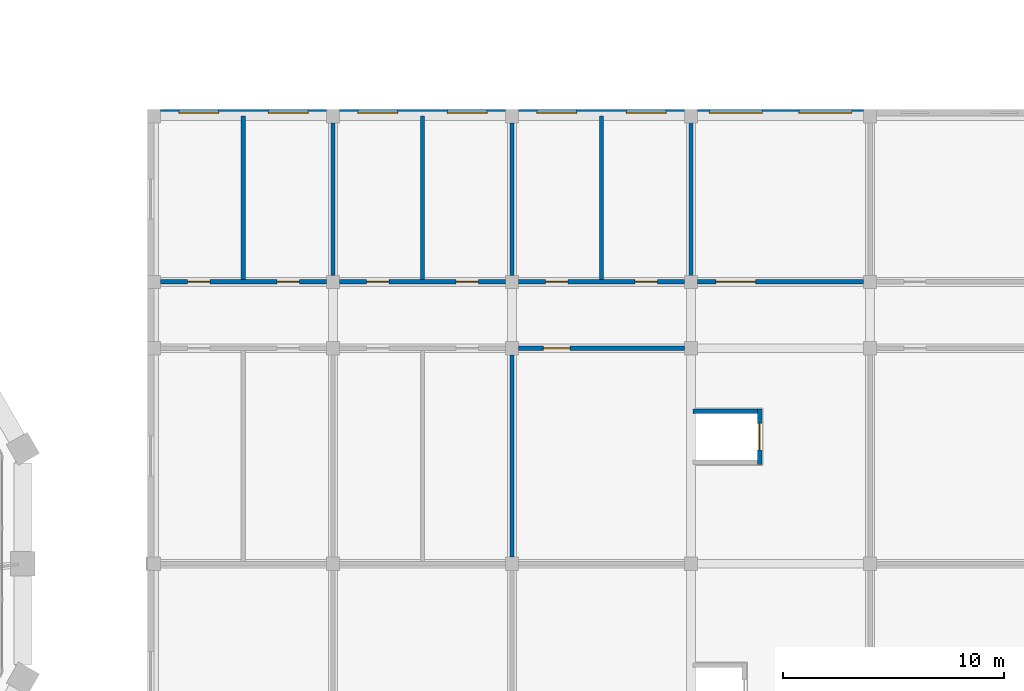
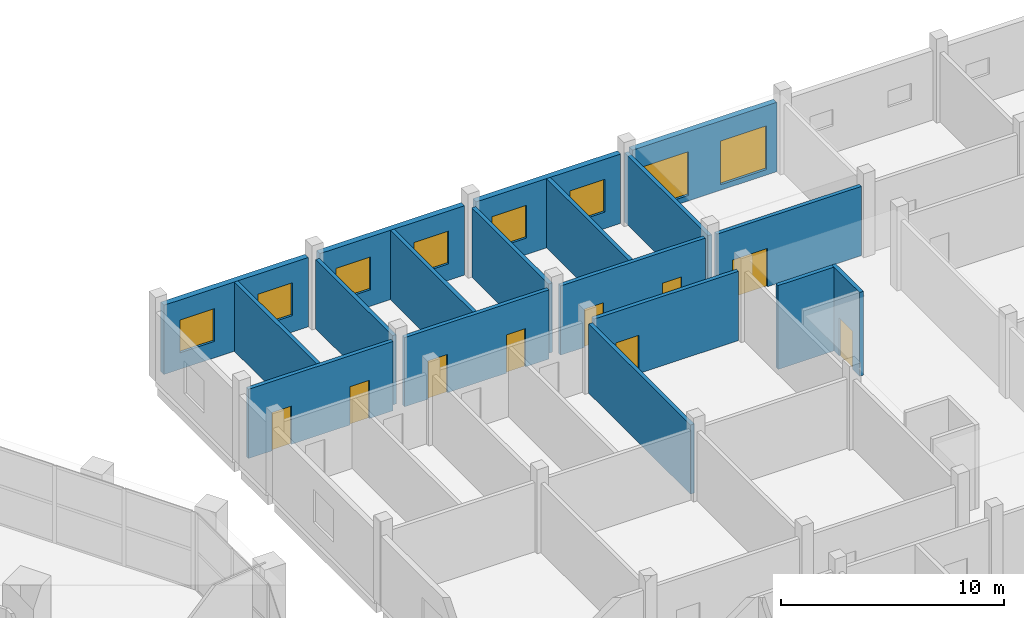
# One storey, part 25 of 38: 18 walls, 9 doors, 8 windows, 17 openings.
"""IFC4 building model written with IfcOpenShell, lengths in metres."""

from ifc_helpers import new_model, si_unit, direction, frame, frame_2d, origin, place, context, subcontext, project, spatial, rectangle, extrude, material, layer, layer_set, type_object, element, fill, save


model = new_model("IFC4")

# Units and contexts
model_context = context("Model", 3, precision=1e-05, world=origin(), true_north=direction((0.0, 1.0)))
body_context = subcontext(model_context, "Body", "Model", "MODEL_VIEW")
ifc_project = project(units=[si_unit("LENGTHUNIT", "METRE"), si_unit("AREAUNIT", "SQUARE_METRE"), si_unit("VOLUMEUNIT", "CUBIC_METRE"), si_unit("PLANEANGLEUNIT", "RADIAN"), si_unit("MASSUNIT", "GRAM", prefix="KILO")], contexts=[model_context])

# Site, building, storey
site_placement = place(None, origin())
site = spatial("IfcSite", under=ifc_project, at=site_placement, CompositionType="ELEMENT")
building_placement = place(site_placement, origin())
building = spatial("IfcBuilding", under=site, at=building_placement, Name="Frailejon Research Tower", CompositionType="ELEMENT")
storey_placement = place(building_placement, frame((0.0, 0.0, 5.60009765625)))
storey = spatial("IfcBuildingStorey", under=building, at=storey_placement, Name="L01", CompositionType="ELEMENT", Elevation=5.60009765625)

# Wall, openings, windows
ifc_material_1 = material(Name="Insulated masonry cavity wall", Category="masonry")
ifc_layer_1 = layer(ifc_material_1, 0.300048828125)
ifc_layer_set_1 = layer_set([ifc_layer_1], Name="HC facade wall 300")
wall_type_1 = type_object("IfcWallType", Name="HC facade wall 300", PredefinedType="SOLIDWALL", material=ifc_layer_set_1)
wall_1_placement = place(storey_placement, frame((44.800048828125, 20.39990234375, 0.0), z_axis=(0.0, 0.0, 1.0), x_axis=(1.0, 0.0, 0.0)))
wall_1 = element("IfcWall", 1, at=wall_1_placement, inside=storey, type_object=wall_type_1, Name="HC facade wall", PredefinedType="SOLIDWALL", context=body_context, shape_type="SweptSolid", body=[
    extrude(rectangle(XDim=7.5, YDim=0.300048828125, at=frame_2d((3.75, 0.0))), origin(), (0.0, 0.0, 1.0), 3.7998046875),
])
opening_1_placement = place(wall_1_placement, frame((0.824951171875, 0.0, 0.89990234375)))
opening_1 = element("IfcOpeningElement", 2, at=opening_1_placement, cuts=wall_1, Name="Opening HW119", PredefinedType="OPENING", context=body_context, shape_type="SweptSolid", body=[
    extrude(rectangle(XDim=1.800048828125, YDim=1.800048828125, at=frame_2d((0.89990234375, 0.89990234375))), frame((0.0, 0.159912109375, 0.0), z_axis=(0.0, -1.0, 0.0), x_axis=(1.0, 0.0, 0.0)), (0.0, 0.0, 1.0), 0.320068359375),
])
opening_2_placement = place(wall_1_placement, frame((4.875, 0.0, 0.89990234375)))
opening_2 = element("IfcOpeningElement", 3, at=opening_2_placement, cuts=wall_1, Name="Opening HW121", PredefinedType="OPENING", context=body_context, shape_type="SweptSolid", body=[
    extrude(rectangle(XDim=1.800048828125, YDim=1.800048828125, at=frame_2d((0.89990234375, 0.89990234375))), frame((0.0, 0.159912109375, 0.0), z_axis=(0.0, -1.0, 0.0), x_axis=(1.0, 0.0, 0.0)), (0.0, 0.0, 1.0), 0.320068359375),
])
ifc_material_2 = material(Name="Aluminium framed double glazing", Category="aluminium")
window_type_1 = type_object("IfcWindowType", Name="HC window 1800x1800", PartitioningType="SINGLE_PANEL", PredefinedType="WINDOW", material=ifc_material_2)
window_1_placement = place(opening_1_placement, origin())
window_1 = element("IfcWindow", 4, at=window_1_placement, inside=storey, type_object=window_type_1, Name="Window HW119 (HCW1)", OverallHeight=1.800048828125, OverallWidth=1.800048828125, PartitioningType="SINGLE_PANEL", PredefinedType="WINDOW", context=body_context, shape_type="SweptSolid", body=[
    extrude(rectangle(XDim=1.800048828125, YDim=1.800048828125, at=frame_2d((0.89990234375, 0.89990234375))), frame((0.0, 0.030029296875, 0.0), z_axis=(0.0, -1.0, 0.0), x_axis=(1.0, 0.0, 0.0)), (0.0, 0.0, 1.0), 0.06005859375),
])
fill(opening_1, window_1)
window_2_placement = place(opening_2_placement, origin())
window_2 = element("IfcWindow", 5, at=window_2_placement, inside=storey, type_object=window_type_1, Name="Window HW121 (HCW1)", OverallHeight=1.800048828125, OverallWidth=1.800048828125, PartitioningType="SINGLE_PANEL", PredefinedType="WINDOW", context=body_context, shape_type="SweptSolid", body=[
    extrude(rectangle(XDim=1.800048828125, YDim=1.800048828125, at=frame_2d((0.89990234375, 0.89990234375))), frame((0.0, 0.030029296875, 0.0), z_axis=(0.0, -1.0, 0.0), x_axis=(1.0, 0.0, 0.0)), (0.0, 0.0, 1.0), 0.06005859375),
])
fill(opening_2, window_2)

wall_2_placement = place(storey_placement, frame((52.89990234375, 20.39990234375, 0.0), z_axis=(0.0, 0.0, 1.0), x_axis=(1.0, 0.0, 0.0)))
wall_2 = element("IfcWall", 6, at=wall_2_placement, inside=storey, type_object=wall_type_1, Name="HC facade wall", PredefinedType="SOLIDWALL", context=body_context, shape_type="SweptSolid", body=[
    extrude(rectangle(XDim=7.5, YDim=0.300048828125, at=frame_2d((3.75, 0.0))), origin(), (0.0, 0.0, 1.0), 3.7998046875),
])
opening_3_placement = place(wall_2_placement, frame((0.824951171875, 0.0, 0.89990234375)))
opening_3 = element("IfcOpeningElement", 7, at=opening_3_placement, cuts=wall_2, Name="Opening HW122", PredefinedType="OPENING", context=body_context, shape_type="SweptSolid", body=[
    extrude(rectangle(XDim=1.800048828125, YDim=1.800048828125, at=frame_2d((0.89990234375, 0.89990234375))), frame((0.0, 0.159912109375, 0.0), z_axis=(0.0, -1.0, 0.0), x_axis=(1.0, 0.0, 0.0)), (0.0, 0.0, 1.0), 0.320068359375),
])
opening_4_placement = place(wall_2_placement, frame((4.875, 0.0, 0.89990234375)))
opening_4 = element("IfcOpeningElement", 8, at=opening_4_placement, cuts=wall_2, Name="Opening HW123", PredefinedType="OPENING", context=body_context, shape_type="SweptSolid", body=[
    extrude(rectangle(XDim=1.800048828125, YDim=1.800048828125, at=frame_2d((0.89990234375, 0.89990234375))), frame((0.0, 0.159912109375, 0.0), z_axis=(0.0, -1.0, 0.0), x_axis=(1.0, 0.0, 0.0)), (0.0, 0.0, 1.0), 0.320068359375),
])
window_3_placement = place(opening_3_placement, origin())
window_3 = element("IfcWindow", 9, at=window_3_placement, inside=storey, type_object=window_type_1, Name="Window HW122 (HCW1)", OverallHeight=1.800048828125, OverallWidth=1.800048828125, PartitioningType="SINGLE_PANEL", PredefinedType="WINDOW", context=body_context, shape_type="SweptSolid", body=[
    extrude(rectangle(XDim=1.800048828125, YDim=1.800048828125, at=frame_2d((0.89990234375, 0.89990234375))), frame((0.0, 0.030029296875, 0.0), z_axis=(0.0, -1.0, 0.0), x_axis=(1.0, 0.0, 0.0)), (0.0, 0.0, 1.0), 0.06005859375),
])
fill(opening_3, window_3)
window_4_placement = place(opening_4_placement, origin())
window_4 = element("IfcWindow", 10, at=window_4_placement, inside=storey, type_object=window_type_1, Name="Window HW123 (HCW1)", OverallHeight=1.800048828125, OverallWidth=1.800048828125, PartitioningType="SINGLE_PANEL", PredefinedType="WINDOW", context=body_context, shape_type="SweptSolid", body=[
    extrude(rectangle(XDim=1.800048828125, YDim=1.800048828125, at=frame_2d((0.89990234375, 0.89990234375))), frame((0.0, 0.030029296875, 0.0), z_axis=(0.0, -1.0, 0.0), x_axis=(1.0, 0.0, 0.0)), (0.0, 0.0, 1.0), 0.06005859375),
])
fill(opening_4, window_4)

wall_3_placement = place(storey_placement, frame((61.0, 20.39990234375, 0.0), z_axis=(0.0, 0.0, 1.0), x_axis=(1.0, 0.0, 0.0)))
wall_3 = element("IfcWall", 11, at=wall_3_placement, inside=storey, type_object=wall_type_1, Name="HC facade wall", PredefinedType="SOLIDWALL", context=body_context, shape_type="SweptSolid", body=[
    extrude(rectangle(XDim=7.5, YDim=0.300048828125, at=frame_2d((3.75, 0.0))), origin(), (0.0, 0.0, 1.0), 3.7998046875),
])
opening_5_placement = place(wall_3_placement, frame((0.824951171875, 0.0, 0.89990234375)))
opening_5 = element("IfcOpeningElement", 12, at=opening_5_placement, cuts=wall_3, Name="Opening HW124", PredefinedType="OPENING", context=body_context, shape_type="SweptSolid", body=[
    extrude(rectangle(XDim=1.800048828125, YDim=1.800048828125, at=frame_2d((0.89990234375, 0.89990234375))), frame((0.0, 0.159912109375, 0.0), z_axis=(0.0, -1.0, 0.0), x_axis=(1.0, 0.0, 0.0)), (0.0, 0.0, 1.0), 0.320068359375),
])
opening_6_placement = place(wall_3_placement, frame((4.875, 0.0, 0.89990234375)))
opening_6 = element("IfcOpeningElement", 13, at=opening_6_placement, cuts=wall_3, Name="Opening HW125", PredefinedType="OPENING", context=body_context, shape_type="SweptSolid", body=[
    extrude(rectangle(XDim=1.800048828125, YDim=1.800048828125, at=frame_2d((0.89990234375, 0.89990234375))), frame((0.0, 0.159912109375, 0.0), z_axis=(0.0, -1.0, 0.0), x_axis=(1.0, 0.0, 0.0)), (0.0, 0.0, 1.0), 0.320068359375),
])
window_5_placement = place(opening_5_placement, origin())
window_5 = element("IfcWindow", 14, at=window_5_placement, inside=storey, type_object=window_type_1, Name="Window HW124 (HCW1)", OverallHeight=1.800048828125, OverallWidth=1.800048828125, PartitioningType="SINGLE_PANEL", PredefinedType="WINDOW", context=body_context, shape_type="SweptSolid", body=[
    extrude(rectangle(XDim=1.800048828125, YDim=1.800048828125, at=frame_2d((0.89990234375, 0.89990234375))), frame((0.0, 0.030029296875, 0.0), z_axis=(0.0, -1.0, 0.0), x_axis=(1.0, 0.0, 0.0)), (0.0, 0.0, 1.0), 0.06005859375),
])
fill(opening_5, window_5)
window_6_placement = place(opening_6_placement, origin())
window_6 = element("IfcWindow", 15, at=window_6_placement, inside=storey, type_object=window_type_1, Name="Window HW125 (HCW1)", OverallHeight=1.800048828125, OverallWidth=1.800048828125, PartitioningType="SINGLE_PANEL", PredefinedType="WINDOW", context=body_context, shape_type="SweptSolid", body=[
    extrude(rectangle(XDim=1.800048828125, YDim=1.800048828125, at=frame_2d((0.89990234375, 0.89990234375))), frame((0.0, 0.030029296875, 0.0), z_axis=(0.0, -1.0, 0.0), x_axis=(1.0, 0.0, 0.0)), (0.0, 0.0, 1.0), 0.06005859375),
])
fill(opening_6, window_6)

wall_4_placement = place(storey_placement, frame((69.10009765625, 20.39990234375, 0.0), z_axis=(0.0, 0.0, 1.0), x_axis=(1.0, 0.0, 0.0)))
wall_4 = element("IfcWall", 16, at=wall_4_placement, inside=storey, type_object=wall_type_1, Name="HC facade wall", PredefinedType="SOLIDWALL", context=body_context, shape_type="SweptSolid", body=[
    extrude(rectangle(XDim=7.5, YDim=0.300048828125, at=frame_2d((3.75, 0.0))), origin(), (0.0, 0.0, 1.0), 3.7998046875),
])
opening_7_placement = place(wall_4_placement, frame((0.52490234375, 0.0, 0.300048828125)))
opening_7 = element("IfcOpeningElement", 17, at=opening_7_placement, cuts=wall_4, Name="Opening HW126", PredefinedType="OPENING", context=body_context, shape_type="SweptSolid", body=[
    extrude(rectangle(XDim=2.39990234375, YDim=2.39990234375, at=frame_2d((1.199951171875, 1.199951171875))), frame((0.0, 0.159912109375, 0.0), z_axis=(0.0, -1.0, 0.0), x_axis=(1.0, 0.0, 0.0)), (0.0, 0.0, 1.0), 0.320068359375),
])
opening_8_placement = place(wall_4_placement, frame((4.574951171875, 0.0, 0.300048828125)))
opening_8 = element("IfcOpeningElement", 18, at=opening_8_placement, cuts=wall_4, Name="Opening HW127", PredefinedType="OPENING", context=body_context, shape_type="SweptSolid", body=[
    extrude(rectangle(XDim=2.39990234375, YDim=2.39990234375, at=frame_2d((1.199951171875, 1.199951171875))), frame((0.0, 0.159912109375, 0.0), z_axis=(0.0, -1.0, 0.0), x_axis=(1.0, 0.0, 0.0)), (0.0, 0.0, 1.0), 0.320068359375),
])
ifc_material_3 = material(Name="Aluminium framed double glazing", Category="aluminium")
window_type_2 = type_object("IfcWindowType", Name="HC window 2400x2400", PartitioningType="DOUBLE_PANEL_VERTICAL", PredefinedType="WINDOW", material=ifc_material_3)
window_7_placement = place(opening_7_placement, origin())
window_7 = element("IfcWindow", 19, at=window_7_placement, inside=storey, type_object=window_type_2, Name="Window HW126 (HCW3)", OverallHeight=2.39990234375, OverallWidth=2.39990234375, PartitioningType="DOUBLE_PANEL_VERTICAL", PredefinedType="WINDOW", context=body_context, shape_type="SweptSolid", body=[
    extrude(rectangle(XDim=2.39990234375, YDim=2.39990234375, at=frame_2d((1.199951171875, 1.199951171875))), frame((0.0, 0.030029296875, 0.0), z_axis=(0.0, -1.0, 0.0), x_axis=(1.0, 0.0, 0.0)), (0.0, 0.0, 1.0), 0.06005859375),
])
fill(opening_7, window_7)
window_8_placement = place(opening_8_placement, origin())
window_8 = element("IfcWindow", 20, at=window_8_placement, inside=storey, type_object=window_type_2, Name="Window HW127 (HCW3)", OverallHeight=2.39990234375, OverallWidth=2.39990234375, PartitioningType="DOUBLE_PANEL_VERTICAL", PredefinedType="WINDOW", context=body_context, shape_type="SweptSolid", body=[
    extrude(rectangle(XDim=2.39990234375, YDim=2.39990234375, at=frame_2d((1.199951171875, 1.199951171875))), frame((0.0, 0.030029296875, 0.0), z_axis=(0.0, -1.0, 0.0), x_axis=(1.0, 0.0, 0.0)), (0.0, 0.0, 1.0), 0.06005859375),
])
fill(opening_8, window_8)

# Wall
ifc_material_4 = material(Name="Concrete C35/45", Category="concrete")
ifc_layer_2 = layer(ifc_material_4, 0.199951171875)
ifc_layer_set_2 = layer_set([ifc_layer_2], Name="HC fire wall 200")
wall_type_2 = type_object("IfcWallType", Name="HC fire wall 200", PredefinedType="SOLIDWALL", material=ifc_layer_set_2)
wall_5_placement = place(storey_placement, frame((68.89990234375, 6.89990234375, 0.0), z_axis=(0.0, 0.0, 1.0), x_axis=(1.0, 0.0, 0.0)))
element("IfcWall", 21, at=wall_5_placement, inside=storey, type_object=wall_type_2, Name="HC lift shaft wall", PredefinedType="SOLIDWALL", context=body_context, shape_type="SweptSolid", body=[
    extrude(rectangle(XDim=2.900146484375, YDim=0.199951171875, at=frame_2d((1.4501953125, 0.0))), origin(), (0.0, 0.0, 1.0), 4.599853515625),
])

# Wall, opening, door
wall_6_placement = place(storey_placement, frame((71.89990234375, 4.5, 0.0), z_axis=(0.0, 0.0, 1.0), x_axis=(0.0, 1.0, 0.0)))
wall_6 = element("IfcWall", 22, at=wall_6_placement, inside=storey, type_object=wall_type_2, Name="HC lift shaft wall", PredefinedType="SOLIDWALL", context=body_context, shape_type="SweptSolid", body=[
    extrude(rectangle(XDim=2.5, YDim=0.199951171875, at=frame_2d((1.25, 0.0))), origin(), (0.0, 0.0, 1.0), 4.599853515625),
])
opening_9_placement = place(wall_6_placement, frame((0.64990234375, 0.0, 0.0)))
opening_9 = element("IfcOpeningElement", 23, at=opening_9_placement, cuts=wall_6, Name="Opening HLD1B", PredefinedType="OPENING", context=body_context, shape_type="SweptSolid", body=[
    extrude(rectangle(XDim=1.199951171875, YDim=2.10009765625, at=frame_2d((0.60009765625, 1.050048828125))), frame((0.0, 0.10986328125, 0.0), z_axis=(0.0, -1.0, 0.0), x_axis=(1.0, 0.0, 0.0)), (0.0, 0.0, 1.0), 0.219970703125),
])
ifc_material_5 = material(Name="Stainless steel sliding leaf", Category="steel")
door_type_1 = type_object("IfcDoorType", Name="HC lift landing door 1200", OperationType="SLIDING_TO_LEFT", PredefinedType="DOOR", material=ifc_material_5)
door_1_placement = place(opening_9_placement, origin())
door_1 = element("IfcDoor", 24, at=door_1_placement, inside=storey, type_object=door_type_1, Name="Lift landing door HLD1B", OperationType="SLIDING_TO_LEFT", OverallHeight=2.10009765625, OverallWidth=1.199951171875, PredefinedType="DOOR", context=body_context, shape_type="SweptSolid", body=[
    extrude(rectangle(XDim=1.199951171875, YDim=2.10009765625, at=frame_2d((0.60009765625, 1.050048828125))), frame((0.0, 0.02490234375, 0.0), z_axis=(0.0, -1.0, 0.0), x_axis=(1.0, 0.0, 0.0)), (0.0, 0.0, 1.0), 0.050048828125),
])
fill(opening_9, door_1)

# Walls
ifc_material_6 = material(Name="Masonry blockwork partition", Category="masonry")
ifc_layer_3 = layer(ifc_material_6, 0.199951171875)
ifc_layer_set_3 = layer_set([ifc_layer_3], Name="HC partition 200")
wall_type_3 = type_object("IfcWallType", Name="HC partition 200", PredefinedType="PARTITIONING", material=ifc_layer_set_3)
wall_7_placement = place(storey_placement, frame((48.550048828125, 12.85009765625, 0.0), z_axis=(0.0, 0.0, 1.0), x_axis=(0.0, 1.0, 0.0)))
element("IfcWall", 25, at=wall_7_placement, inside=storey, type_object=wall_type_3, Name="HC partition", PredefinedType="PARTITIONING", context=body_context, shape_type="SweptSolid", body=[
    extrude(rectangle(XDim=7.39990234375, YDim=0.199951171875, at=frame_2d((3.699951171875, 0.0))), origin(), (0.0, 0.0, 1.0), 3.7998046875),
])
wall_8_placement = place(storey_placement, frame((52.60009765625, 13.050048828125, 0.0), z_axis=(0.0, 0.0, 1.0), x_axis=(0.0, 1.0, 0.0)))
element("IfcWall", 26, at=wall_8_placement, inside=storey, type_object=wall_type_3, Name="HC partition", PredefinedType="PARTITIONING", context=body_context, shape_type="SweptSolid", body=[
    extrude(rectangle(XDim=6.89990234375, YDim=0.199951171875, at=frame_2d((3.449951171875, 0.0))), origin(), (0.0, 0.0, 1.0), 3.7998046875),
])
wall_9_placement = place(storey_placement, frame((56.64990234375, 12.85009765625, 0.0), z_axis=(0.0, 0.0, 1.0), x_axis=(0.0, 1.0, 0.0)))
element("IfcWall", 27, at=wall_9_placement, inside=storey, type_object=wall_type_3, Name="HC partition", PredefinedType="PARTITIONING", context=body_context, shape_type="SweptSolid", body=[
    extrude(rectangle(XDim=7.39990234375, YDim=0.199951171875, at=frame_2d((3.699951171875, 0.0))), origin(), (0.0, 0.0, 1.0), 3.7998046875),
])
wall_10_placement = place(storey_placement, frame((60.699951171875, 0.300048828125, 0.0), z_axis=(0.0, 0.0, 1.0), x_axis=(0.0, 1.0, 0.0)))
element("IfcWall", 28, at=wall_10_placement, inside=storey, type_object=wall_type_3, Name="HC partition", PredefinedType="PARTITIONING", context=body_context, shape_type="SweptSolid", body=[
    extrude(rectangle(XDim=9.14990234375, YDim=0.199951171875, at=frame_2d((4.574951171875, 0.0))), origin(), (0.0, 0.0, 1.0), 3.7998046875),
])
wall_11_placement = place(storey_placement, frame((60.699951171875, 13.050048828125, 0.0), z_axis=(0.0, 0.0, 1.0), x_axis=(0.0, 1.0, 0.0)))
element("IfcWall", 29, at=wall_11_placement, inside=storey, type_object=wall_type_3, Name="HC partition", PredefinedType="PARTITIONING", context=body_context, shape_type="SweptSolid", body=[
    extrude(rectangle(XDim=6.89990234375, YDim=0.199951171875, at=frame_2d((3.449951171875, 0.0))), origin(), (0.0, 0.0, 1.0), 3.7998046875),
])
wall_12_placement = place(storey_placement, frame((64.75, 12.85009765625, 0.0), z_axis=(0.0, 0.0, 1.0), x_axis=(0.0, 1.0, 0.0)))
element("IfcWall", 30, at=wall_12_placement, inside=storey, type_object=wall_type_3, Name="HC partition", PredefinedType="PARTITIONING", context=body_context, shape_type="SweptSolid", body=[
    extrude(rectangle(XDim=7.39990234375, YDim=0.199951171875, at=frame_2d((3.699951171875, 0.0))), origin(), (0.0, 0.0, 1.0), 3.7998046875),
])
wall_13_placement = place(storey_placement, frame((68.800048828125, 12.75, 0.0), z_axis=(0.0, 0.0, 1.0), x_axis=(0.0, 1.0, 0.0)))
element("IfcWall", 31, at=wall_13_placement, inside=storey, type_object=wall_type_3, Name="HC partition", PredefinedType="PARTITIONING", context=body_context, shape_type="SweptSolid", body=[
    extrude(rectangle(XDim=7.5, YDim=0.199951171875, at=frame_2d((3.75, 0.0))), origin(), (0.0, 0.0, 1.0), 3.7998046875),
])

# Wall, opening, door
wall_14_placement = place(storey_placement, frame((61.0, 9.75, 0.0), z_axis=(0.0, 0.0, 1.0), x_axis=(1.0, 0.0, 0.0)))
wall_14 = element("IfcWall", 32, at=wall_14_placement, inside=storey, type_object=wall_type_3, Name="HC partition", PredefinedType="PARTITIONING", context=body_context, shape_type="SweptSolid", body=[
    extrude(rectangle(XDim=7.5, YDim=0.199951171875, at=frame_2d((3.75, 0.0))), origin(), (0.0, 0.0, 1.0), 3.7998046875),
])
opening_10_placement = place(wall_14_placement, frame((1.125, 0.0, 0.0)))
opening_10 = element("IfcOpeningElement", 33, at=opening_10_placement, cuts=wall_14, Name="Opening HD126", PredefinedType="OPENING", context=body_context, shape_type="SweptSolid", body=[
    extrude(rectangle(XDim=1.199951171875, YDim=2.10009765625, at=frame_2d((0.60009765625, 1.050048828125))), frame((0.0, 0.10986328125, 0.0), z_axis=(0.0, -1.0, 0.0), x_axis=(1.0, 0.0, 0.0)), (0.0, 0.0, 1.0), 0.219970703125),
])
ifc_material_7 = material(Name="Timber veneered fire door leaf", Category="wood")
door_type_2 = type_object("IfcDoorType", Name="HC door 1200 left", OperationType="SINGLE_SWING_LEFT", PredefinedType="DOOR", material=ifc_material_7)
door_2_placement = place(opening_10_placement, origin())
door_2 = element("IfcDoor", 34, at=door_2_placement, inside=storey, type_object=door_type_2, Name="Door HD126", OperationType="SINGLE_SWING_LEFT", OverallHeight=2.10009765625, OverallWidth=1.199951171875, PredefinedType="DOOR", context=body_context, shape_type="SweptSolid", body=[
    extrude(rectangle(XDim=1.199951171875, YDim=2.10009765625, at=frame_2d((0.60009765625, 1.050048828125))), frame((0.0, 0.02490234375, 0.0), z_axis=(0.0, -1.0, 0.0), x_axis=(1.0, 0.0, 0.0)), (0.0, 0.0, 1.0), 0.050048828125),
])
fill(opening_10, door_2)

# Wall, openings, doors
wall_15_placement = place(storey_placement, frame((44.800048828125, 12.75, 0.0), z_axis=(0.0, 0.0, 1.0), x_axis=(1.0, 0.0, 0.0)))
wall_15 = element("IfcWall", 35, at=wall_15_placement, inside=storey, type_object=wall_type_3, Name="HC partition", PredefinedType="PARTITIONING", context=body_context, shape_type="SweptSolid", body=[
    extrude(rectangle(XDim=7.5, YDim=0.199951171875, at=frame_2d((3.75, 0.0))), origin(), (0.0, 0.0, 1.0), 3.7998046875),
])
opening_11_placement = place(wall_15_placement, frame((1.22509765625, 0.0, 0.0)))
opening_11 = element("IfcOpeningElement", 36, at=opening_11_placement, cuts=wall_15, Name="Opening HD130", PredefinedType="OPENING", context=body_context, shape_type="SweptSolid", body=[
    extrude(rectangle(XDim=1.0, YDim=2.10009765625, at=frame_2d((0.5, 1.050048828125))), frame((0.0, 0.10986328125, 0.0), z_axis=(0.0, -1.0, 0.0), x_axis=(1.0, 0.0, 0.0)), (0.0, 0.0, 1.0), 0.219970703125),
])
opening_12_placement = place(wall_15_placement, frame((5.27490234375, 0.0, 0.0)))
opening_12 = element("IfcOpeningElement", 37, at=opening_12_placement, cuts=wall_15, Name="Opening HD131", PredefinedType="OPENING", context=body_context, shape_type="SweptSolid", body=[
    extrude(rectangle(XDim=1.0, YDim=2.10009765625, at=frame_2d((0.5, 1.050048828125))), frame((0.0, 0.10986328125, 0.0), z_axis=(0.0, -1.0, 0.0), x_axis=(1.0, 0.0, 0.0)), (0.0, 0.0, 1.0), 0.219970703125),
])
ifc_material_8 = material(Name="Timber veneered fire door leaf", Category="wood")
door_type_3 = type_object("IfcDoorType", Name="HC door 1000 left", OperationType="SINGLE_SWING_LEFT", PredefinedType="DOOR", material=ifc_material_8)
door_3_placement = place(opening_11_placement, origin())
door_3 = element("IfcDoor", 38, at=door_3_placement, inside=storey, type_object=door_type_3, Name="Door HD130", OperationType="SINGLE_SWING_LEFT", OverallHeight=2.10009765625, OverallWidth=1.0, PredefinedType="DOOR", context=body_context, shape_type="SweptSolid", body=[
    extrude(rectangle(XDim=1.0, YDim=2.10009765625, at=frame_2d((0.5, 1.050048828125))), frame((0.0, 0.02490234375, 0.0), z_axis=(0.0, -1.0, 0.0), x_axis=(1.0, 0.0, 0.0)), (0.0, 0.0, 1.0), 0.050048828125),
])
fill(opening_11, door_3)
ifc_material_9 = material(Name="Timber veneered fire door leaf", Category="wood")
door_type_4 = type_object("IfcDoorType", Name="HC door 1000 right", OperationType="SINGLE_SWING_RIGHT", PredefinedType="DOOR", material=ifc_material_9)
door_4_placement = place(opening_12_placement, origin())
door_4 = element("IfcDoor", 39, at=door_4_placement, inside=storey, type_object=door_type_4, Name="Door HD131", OperationType="SINGLE_SWING_RIGHT", OverallHeight=2.10009765625, OverallWidth=1.0, PredefinedType="DOOR", context=body_context, shape_type="SweptSolid", body=[
    extrude(rectangle(XDim=1.0, YDim=2.10009765625, at=frame_2d((0.5, 1.050048828125))), frame((0.0, 0.02490234375, 0.0), z_axis=(0.0, -1.0, 0.0), x_axis=(1.0, 0.0, 0.0)), (0.0, 0.0, 1.0), 0.050048828125),
])
fill(opening_12, door_4)

wall_16_placement = place(storey_placement, frame((52.89990234375, 12.75, 0.0), z_axis=(0.0, 0.0, 1.0), x_axis=(1.0, 0.0, 0.0)))
wall_16 = element("IfcWall", 40, at=wall_16_placement, inside=storey, type_object=wall_type_3, Name="HC partition", PredefinedType="PARTITIONING", context=body_context, shape_type="SweptSolid", body=[
    extrude(rectangle(XDim=7.5, YDim=0.199951171875, at=frame_2d((3.75, 0.0))), origin(), (0.0, 0.0, 1.0), 3.7998046875),
])
opening_13_placement = place(wall_16_placement, frame((1.22509765625, 0.0, 0.0)))
opening_13 = element("IfcOpeningElement", 41, at=opening_13_placement, cuts=wall_16, Name="Opening HD132", PredefinedType="OPENING", context=body_context, shape_type="SweptSolid", body=[
    extrude(rectangle(XDim=1.0, YDim=2.10009765625, at=frame_2d((0.5, 1.050048828125))), frame((0.0, 0.10986328125, 0.0), z_axis=(0.0, -1.0, 0.0), x_axis=(1.0, 0.0, 0.0)), (0.0, 0.0, 1.0), 0.219970703125),
])
opening_14_placement = place(wall_16_placement, frame((5.27490234375, 0.0, 0.0)))
opening_14 = element("IfcOpeningElement", 42, at=opening_14_placement, cuts=wall_16, Name="Opening HD133", PredefinedType="OPENING", context=body_context, shape_type="SweptSolid", body=[
    extrude(rectangle(XDim=1.0, YDim=2.10009765625, at=frame_2d((0.5, 1.050048828125))), frame((0.0, 0.10986328125, 0.0), z_axis=(0.0, -1.0, 0.0), x_axis=(1.0, 0.0, 0.0)), (0.0, 0.0, 1.0), 0.219970703125),
])
door_5_placement = place(opening_13_placement, origin())
door_5 = element("IfcDoor", 43, at=door_5_placement, inside=storey, type_object=door_type_3, Name="Door HD132", OperationType="SINGLE_SWING_LEFT", OverallHeight=2.10009765625, OverallWidth=1.0, PredefinedType="DOOR", context=body_context, shape_type="SweptSolid", body=[
    extrude(rectangle(XDim=1.0, YDim=2.10009765625, at=frame_2d((0.5, 1.050048828125))), frame((0.0, 0.02490234375, 0.0), z_axis=(0.0, -1.0, 0.0), x_axis=(1.0, 0.0, 0.0)), (0.0, 0.0, 1.0), 0.050048828125),
])
fill(opening_13, door_5)
door_6_placement = place(opening_14_placement, origin())
door_6 = element("IfcDoor", 44, at=door_6_placement, inside=storey, type_object=door_type_4, Name="Door HD133", OperationType="SINGLE_SWING_RIGHT", OverallHeight=2.10009765625, OverallWidth=1.0, PredefinedType="DOOR", context=body_context, shape_type="SweptSolid", body=[
    extrude(rectangle(XDim=1.0, YDim=2.10009765625, at=frame_2d((0.5, 1.050048828125))), frame((0.0, 0.02490234375, 0.0), z_axis=(0.0, -1.0, 0.0), x_axis=(1.0, 0.0, 0.0)), (0.0, 0.0, 1.0), 0.050048828125),
])
fill(opening_14, door_6)

wall_17_placement = place(storey_placement, frame((61.0, 12.75, 0.0), z_axis=(0.0, 0.0, 1.0), x_axis=(1.0, 0.0, 0.0)))
wall_17 = element("IfcWall", 45, at=wall_17_placement, inside=storey, type_object=wall_type_3, Name="HC partition", PredefinedType="PARTITIONING", context=body_context, shape_type="SweptSolid", body=[
    extrude(rectangle(XDim=7.5, YDim=0.199951171875, at=frame_2d((3.75, 0.0))), origin(), (0.0, 0.0, 1.0), 3.7998046875),
])
opening_15_placement = place(wall_17_placement, frame((1.22509765625, 0.0, 0.0)))
opening_15 = element("IfcOpeningElement", 46, at=opening_15_placement, cuts=wall_17, Name="Opening HD134", PredefinedType="OPENING", context=body_context, shape_type="SweptSolid", body=[
    extrude(rectangle(XDim=1.0, YDim=2.10009765625, at=frame_2d((0.5, 1.050048828125))), frame((0.0, 0.10986328125, 0.0), z_axis=(0.0, -1.0, 0.0), x_axis=(1.0, 0.0, 0.0)), (0.0, 0.0, 1.0), 0.219970703125),
])
opening_16_placement = place(wall_17_placement, frame((5.27490234375, 0.0, 0.0)))
opening_16 = element("IfcOpeningElement", 47, at=opening_16_placement, cuts=wall_17, Name="Opening HD135", PredefinedType="OPENING", context=body_context, shape_type="SweptSolid", body=[
    extrude(rectangle(XDim=1.0, YDim=2.10009765625, at=frame_2d((0.5, 1.050048828125))), frame((0.0, 0.10986328125, 0.0), z_axis=(0.0, -1.0, 0.0), x_axis=(1.0, 0.0, 0.0)), (0.0, 0.0, 1.0), 0.219970703125),
])
door_7_placement = place(opening_15_placement, origin())
door_7 = element("IfcDoor", 48, at=door_7_placement, inside=storey, type_object=door_type_3, Name="Door HD134", OperationType="SINGLE_SWING_LEFT", OverallHeight=2.10009765625, OverallWidth=1.0, PredefinedType="DOOR", context=body_context, shape_type="SweptSolid", body=[
    extrude(rectangle(XDim=1.0, YDim=2.10009765625, at=frame_2d((0.5, 1.050048828125))), frame((0.0, 0.02490234375, 0.0), z_axis=(0.0, -1.0, 0.0), x_axis=(1.0, 0.0, 0.0)), (0.0, 0.0, 1.0), 0.050048828125),
])
fill(opening_15, door_7)
door_8_placement = place(opening_16_placement, origin())
door_8 = element("IfcDoor", 49, at=door_8_placement, inside=storey, type_object=door_type_4, Name="Door HD135", OperationType="SINGLE_SWING_RIGHT", OverallHeight=2.10009765625, OverallWidth=1.0, PredefinedType="DOOR", context=body_context, shape_type="SweptSolid", body=[
    extrude(rectangle(XDim=1.0, YDim=2.10009765625, at=frame_2d((0.5, 1.050048828125))), frame((0.0, 0.02490234375, 0.0), z_axis=(0.0, -1.0, 0.0), x_axis=(1.0, 0.0, 0.0)), (0.0, 0.0, 1.0), 0.050048828125),
])
fill(opening_16, door_8)

# Wall, opening, door
wall_18_placement = place(storey_placement, frame((69.10009765625, 12.75, 0.0), z_axis=(0.0, 0.0, 1.0), x_axis=(1.0, 0.0, 0.0)))
wall_18 = element("IfcWall", 50, at=wall_18_placement, inside=storey, type_object=wall_type_3, Name="HC partition", PredefinedType="PARTITIONING", context=body_context, shape_type="SweptSolid", body=[
    extrude(rectangle(XDim=7.5, YDim=0.199951171875, at=frame_2d((3.75, 0.0))), origin(), (0.0, 0.0, 1.0), 3.7998046875),
])
opening_17_placement = place(wall_18_placement, frame((0.824951171875, 0.0, 0.0)))
opening_17 = element("IfcOpeningElement", 51, at=opening_17_placement, cuts=wall_18, Name="Opening HD136", PredefinedType="OPENING", context=body_context, shape_type="SweptSolid", body=[
    extrude(rectangle(XDim=1.800048828125, YDim=2.10009765625, at=frame_2d((0.89990234375, 1.050048828125))), frame((0.0, 0.10986328125, 0.0), z_axis=(0.0, -1.0, 0.0), x_axis=(1.0, 0.0, 0.0)), (0.0, 0.0, 1.0), 0.219970703125),
])
ifc_material_10 = material(Name="Timber veneered fire door leaf", Category="wood")
door_type_5 = type_object("IfcDoorType", Name="HC double door 1800", OperationType="DOUBLE_DOOR_SINGLE_SWING", PredefinedType="DOOR", material=ifc_material_10)
door_9_placement = place(opening_17_placement, origin())
door_9 = element("IfcDoor", 52, at=door_9_placement, inside=storey, type_object=door_type_5, Name="Door HD136", OperationType="DOUBLE_DOOR_SINGLE_SWING", OverallHeight=2.10009765625, OverallWidth=1.800048828125, PredefinedType="DOOR", context=body_context, shape_type="SweptSolid", body=[
    extrude(rectangle(XDim=1.800048828125, YDim=2.10009765625, at=frame_2d((0.89990234375, 1.050048828125))), frame((0.0, 0.02490234375, 0.0), z_axis=(0.0, -1.0, 0.0), x_axis=(1.0, 0.0, 0.0)), (0.0, 0.0, 1.0), 0.050048828125),
])
fill(opening_17, door_9)

save(model, "model.ifc")
